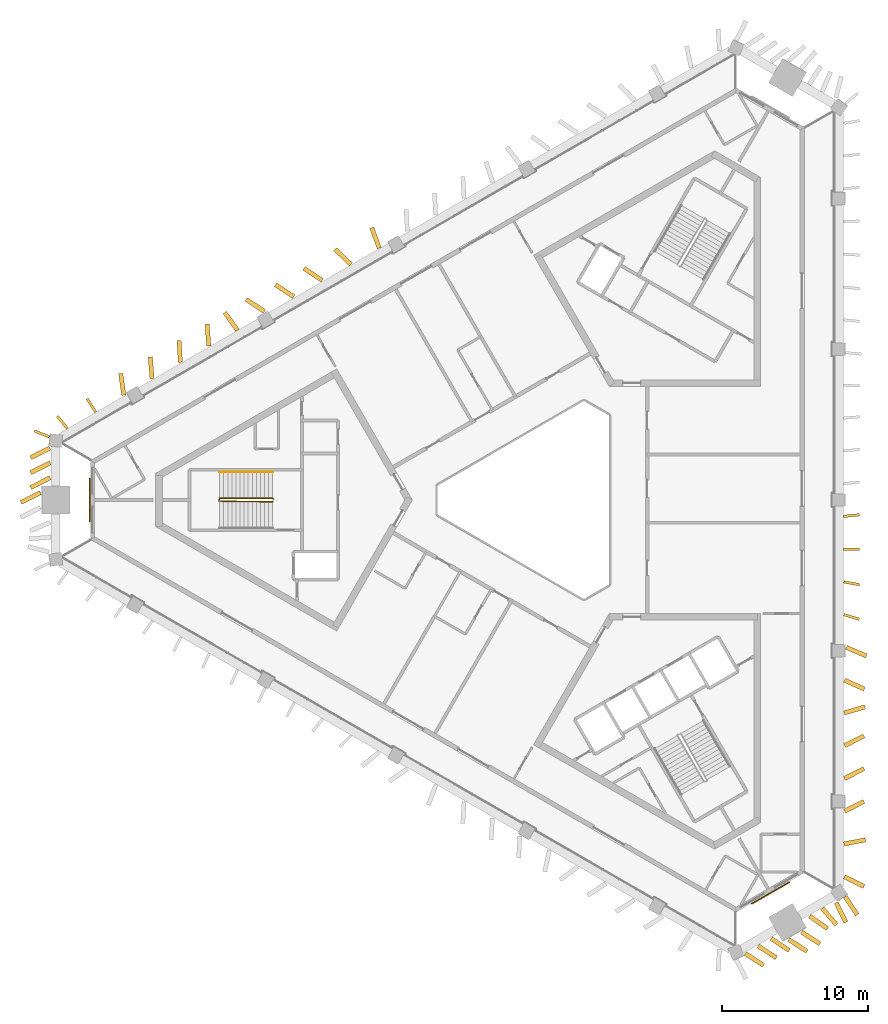
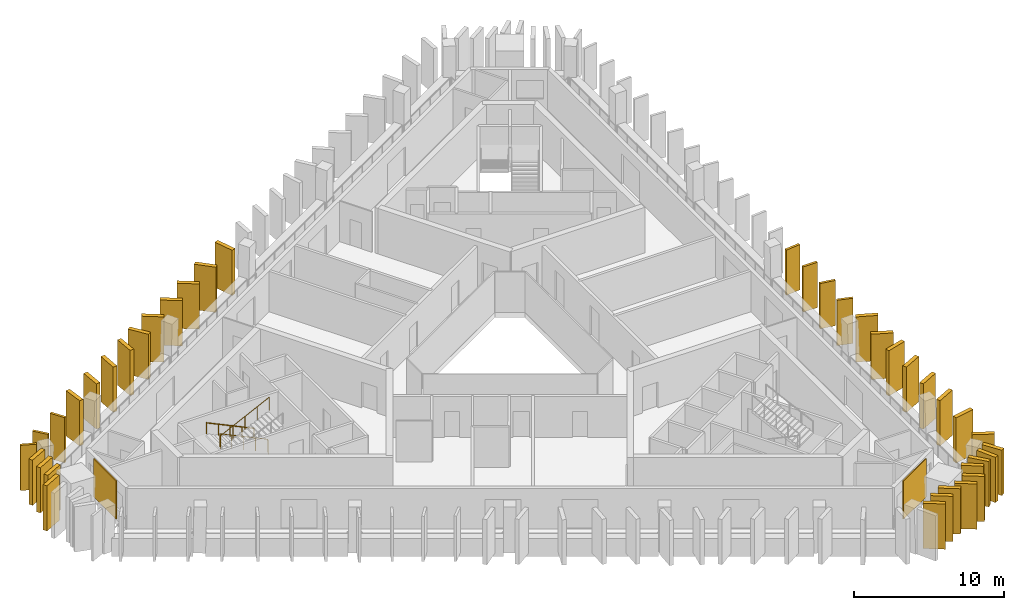
# One storey, part 8 of 10: 38 shading devices, 2 coverings, 2 railings.
"""IFC4 building model written with IfcOpenShell, lengths in metres."""

import ifcopenshell
import ifcopenshell.guid

model = None  # the IFC model being written
_history = None  # IfcOwnerHistory: only IFC2X3 demands one
_inside = {}  # id of a spatial element -> (the spatial element, [elements in it])
_under = {}  # id of a project, library or spatial element -> (it, [spatial elements below it])
_declared = {}  # id of a project -> (the project, [libraries it declares])
_typed = {}  # id of a type object -> (the type object, [elements of that type])
_made_of = {}  # id of a material, layer set ... -> (it, [elements and type objects made of it])


def new_model(schema):
    """Start an empty IFC model of exactly this schema.

    Asked for "IFC4X3", IfcOpenShell would pick the latest addendum, in which some entities
    have other attributes; the version numbers below select the first issue.
    IFC2X3 requires an IfcOwnerHistory on every rooted entity: one is made here for all.
    """
    global model, _history
    if schema == "IFC4X3":
        model = ifcopenshell.file(schema_version=(4, 3, 0, 0))
    else:
        model = ifcopenshell.file(schema=schema)
    _inside.clear()
    _under.clear()
    _declared.clear()
    _typed.clear()
    _made_of.clear()
    _history = None
    if model.schema == "IFC2X3":
        org = make("IfcOrganization", Name="unknown")
        user = make(
            "IfcPersonAndOrganization",
            ThePerson=make("IfcPerson", FamilyName="unknown"),
            TheOrganization=org,
        )
        app = make(
            "IfcApplication",
            ApplicationDeveloper=org,
            Version="unknown",
            ApplicationFullName="unknown",
            ApplicationIdentifier="unknown",
        )
        _history = make(
            "IfcOwnerHistory",
            OwningUser=user,
            OwningApplication=app,
            ChangeAction="ADDED",
            CreationDate=0,
        )
    return model


def make(cls, **values):
    """One entity of the class cls with the attributes given. An attribute that is None is left unset."""
    return model.create_entity(
        cls, **{name: value for name, value in values.items() if value is not None}
    )


def rooted(cls, **values):
    """An entity with a GlobalId (a new one), such as an element, a storey or a relation."""
    return make(cls, GlobalId=ifcopenshell.guid.new(), OwnerHistory=_history, **values)


def si_unit(unit_type, name, prefix=None):
    """IfcSIUnit, for example si_unit("LENGTHUNIT", "METRE", prefix="MILLI")."""
    return make("IfcSIUnit", UnitType=unit_type, Prefix=prefix, Name=name)


def assignment(units):
    """IfcUnitAssignment: the units of a project."""
    return None if units is None else make("IfcUnitAssignment", Units=units)


def point(xyz):
    """IfcCartesianPoint."""
    return None if xyz is None else make("IfcCartesianPoint", Coordinates=xyz)


def direction(xyz):
    """IfcDirection."""
    return None if xyz is None else make("IfcDirection", DirectionRatios=xyz)


def frame(location, z_axis=None, x_axis=None):
    """IfcAxis2Placement3D, a coordinate frame: its origin and axes. An axis left out is left unset."""
    return make(
        "IfcAxis2Placement3D",
        Location=point(location),
        Axis=direction(z_axis),
        RefDirection=direction(x_axis),
    )


def frame_2d(location, x_axis=None):
    """IfcAxis2Placement2D, a coordinate frame in the plane: its origin and x axis."""
    return make(
        "IfcAxis2Placement2D", Location=point(location), RefDirection=direction(x_axis)
    )


def origin():
    """The frame at (0, 0, 0) with its axes left unset."""
    return frame((0.0, 0.0, 0.0))


def origin_2d():
    """The frame at (0, 0) in the plane with its x axis left unset."""
    return frame_2d((0.0, 0.0))


def place(relative_to, where):
    """IfcLocalPlacement: puts the frame where relative to a parent placement (None: the world)."""
    return make(
        "IfcLocalPlacement", PlacementRelTo=relative_to, RelativePlacement=where
    )


def context(
    kind, dimensions, precision=None, world=None, true_north=None, identifier=None
):
    """IfcGeometricRepresentationContext, for example the 3D "Model" context."""
    return make(
        "IfcGeometricRepresentationContext",
        ContextIdentifier=identifier,
        ContextType=kind,
        CoordinateSpaceDimension=dimensions,
        Precision=precision,
        WorldCoordinateSystem=world,
        TrueNorth=true_north,
    )


def subcontext(parent, identifier, kind, view, scale=None):
    """IfcGeometricRepresentationSubContext, for example "Body" below "Model"."""
    return make(
        "IfcGeometricRepresentationSubContext",
        ContextIdentifier=identifier,
        ContextType=kind,
        ParentContext=parent,
        TargetScale=scale,
        TargetView=view,
    )


def project(units=None, contexts=None):
    """IfcProject with its units and contexts."""
    return rooted(
        "IfcProject",
        Name="project",
        RepresentationContexts=contexts,
        UnitsInContext=assignment(units),
    )


def spatial(cls, under=None, at=None, **own):
    """A site, building, storey or space (cls), placed at a placement, below another one or the project."""
    s = rooted(cls, ObjectPlacement=at, **own)
    if under is not None:
        _under.setdefault(under.id(), (under, []))[1].append(s)
    return s


def profile(cls, at=None, kind="AREA", **sizes):
    """A parametric profile (cls). Its sizes go by their IFC names, for example OverallWidth=200.0."""
    return make(cls, ProfileType=kind, Position=at, **sizes)


def rectangle(**sizes):
    """IfcRectangleProfileDef."""
    return profile("IfcRectangleProfileDef", **sizes)


def circle(**sizes):
    """IfcCircleProfileDef."""
    return profile("IfcCircleProfileDef", **sizes)


def extrude(swept, where, along, depth):
    """IfcExtrudedAreaSolid: the profile swept, set in the frame where, extruded along a direction by depth."""
    return make(
        "IfcExtrudedAreaSolid",
        SweptArea=swept,
        Position=where,
        ExtrudedDirection=direction(along),
        Depth=depth,
    )


def shape(context_of_items, identifier, shape_type, items):
    """IfcShapeRepresentation: the items that make up one representation, for example the "Body"."""
    return make(
        "IfcShapeRepresentation",
        ContextOfItems=context_of_items,
        RepresentationIdentifier=identifier,
        RepresentationType=shape_type,
        Items=items,
    )


def material(Name=None, Category=None):
    """IfcMaterial."""
    return make("IfcMaterial", Name=Name, Category=Category)


def layer(
    of_material, thickness, ventilated=None, Name=None, Category=None, Priority=None
):
    """IfcMaterialLayer: one layer of a wall or slab, of a material (None: an air gap)."""
    return make(
        "IfcMaterialLayer",
        Material=of_material,
        LayerThickness=thickness,
        IsVentilated=ventilated,
        Name=Name,
        Category=Category,
        Priority=Priority,
    )


def layer_set(layers, Name=None):
    """IfcMaterialLayerSet."""
    return make("IfcMaterialLayerSet", MaterialLayers=layers, LayerSetName=Name)


def made_of(thing, what):
    """Note that an element or type object is made of a material, layer set ...; save() writes the relation."""
    if what is not None:
        _made_of.setdefault(what.id(), (what, []))[1].append(thing)
    return thing


def type_object(cls, material=None, **own):
    """A type object (cls), such as IfcWallType, which elements share."""
    return made_of(rooted(cls, **own), material)


def element(
    cls,
    number,
    at=None,
    inside=None,
    cuts=None,
    type_object=None,
    material=None,
    context=None,
    identifier="Body",
    shape_type=None,
    held_by="IfcProductDefinitionShape",
    body=None,
    shapes=None,
    **own,
):
    """One element of the class cls, such as IfcWall. Its Tag is "e" and its number.

    at: its placement. inside: the storey or other place that contains it. cuts: it is an
    opening in that element (IfcRelVoidsElement). A single representation is given by context,
    identifier, shape_type and body (its items); several are given by shapes. held_by: the class
    of the entity that holds the representations. save() writes the other relations.
    """
    e = rooted(cls, Tag="e%d" % number, ObjectPlacement=at, **own)
    if body is not None:
        shapes = [shape(context, identifier, shape_type, body)]
    if shapes is not None:
        e.Representation = make(held_by, Representations=shapes)
    if inside is not None:
        _inside.setdefault(inside.id(), (inside, []))[1].append(e)
    if cuts is not None:
        rooted(
            "IfcRelVoidsElement", RelatingBuildingElement=cuts, RelatedOpeningElement=e
        )
    if type_object is not None:
        _typed.setdefault(type_object.id(), (type_object, []))[1].append(e)
    return made_of(e, material)


def aggregate(whole, parts):
    """IfcRelAggregates: a whole, such as a stair, and the parts it consists of."""
    return rooted("IfcRelAggregates", RelatingObject=whole, RelatedObjects=parts)


def save(model, path):
    """Write the relations noted so far, then the file.

    IfcRelAggregates (storeys below a building ...), IfcRelContainedInSpatialStructure (elements
    in a storey), IfcRelDefinesByType, IfcRelAssociatesMaterial and IfcRelDeclares: one each for
    every whole, place, type object, material and project.
    """
    for whole, parts in _under.values():
        aggregate(whole, parts)
    for where, things in _inside.values():
        rooted(
            "IfcRelContainedInSpatialStructure",
            RelatedElements=things,
            RelatingStructure=where,
        )
    for kind, things in _typed.values():
        rooted("IfcRelDefinesByType", RelatedObjects=things, RelatingType=kind)
    for what, things in _made_of.values():
        rooted("IfcRelAssociatesMaterial", RelatedObjects=things, RelatingMaterial=what)
    for by, libraries in _declared.values():
        rooted("IfcRelDeclares", RelatingContext=by, RelatedDefinitions=libraries)
    model.write(path)


model = new_model("IFC4")

# Units and contexts
model_context = context("Model", 3, precision=1e-05, world=origin(), true_north=direction((0.0, 1.0)))
body_context = subcontext(model_context, "Body", "Model", "MODEL_VIEW")
ifc_project = project(units=[si_unit("LENGTHUNIT", "METRE"), si_unit("AREAUNIT", "SQUARE_METRE"), si_unit("VOLUMEUNIT", "CUBIC_METRE"), si_unit("PLANEANGLEUNIT", "RADIAN"), si_unit("MASSUNIT", "GRAM", prefix="KILO")], contexts=[model_context])

# Site, building, storey
site_placement = place(None, origin())
site = spatial("IfcSite", under=ifc_project, at=site_placement, CompositionType="ELEMENT")
building_placement = place(site_placement, origin())
building = spatial("IfcBuilding", under=site, at=building_placement, Name="Jabali Bay Hotel Tower and Convention Centre", CompositionType="ELEMENT")
storey_placement = place(building_placement, frame((0.0, 0.0, 216.89990234375)))
storey = spatial("IfcBuildingStorey", under=building, at=storey_placement, Name="L53", CompositionType="ELEMENT", Elevation=216.89990234375)

# Shading devices
ifc_material_1 = material(Name="Precast concrete C60", Category="concrete")
ifc_layer_1 = layer(ifc_material_1, 0.179931640625)
ifc_layer_set_1 = layer_set([ifc_layer_1], Name="Precast concrete C60")
shading_device_type_1 = type_object("IfcShadingDeviceType", Name="Precast fin 3680 x 1100", PredefinedType="USERDEFINED", material=ifc_layer_set_1)
for number, where, z_axis, x_axis, name in (
    (1, (95.5947265625, 72.136474609375, 0.010009765625), (0.0, 0.0, 1.0), (0.958277096611, -0.285840875506, 0.0), "Fin L53 008"),
    (2, (95.584716796875, 74.38330078125, 0.010009765625), (0.0, 0.0, 1.0), (0.984745552362, -0.174000566385, 0.0), "Fin L53 009"),
):
    element("IfcShadingDevice", number, at=place(storey_placement, frame(where, z_axis=z_axis, x_axis=x_axis)), inside=storey, type_object=shading_device_type_1, Name=name, ObjectType="FIN", PredefinedType="USERDEFINED", context=body_context, shape_type="SweptSolid", body=[
        extrude(rectangle(XDim=1.10009765625, YDim=0.179931640625, at=frame_2d((0.550048828125, 0.0))), origin(), (0.0, 0.0, 1.0), 3.68017578125),
    ])
shading_device_1_placement = place(storey_placement, frame((95.56982421875, 76.6298828125, 0.010009765625), z_axis=(0.0, 0.0, 1.0), x_axis=(0.999971521331, -0.007546954878, 0.0)))
element("IfcShadingDevice", 3, at=shading_device_1_placement, inside=storey, type_object=shading_device_type_1, Name="Fin L53 010", ObjectType="FIN", PredefinedType="USERDEFINED", context=body_context, shape_type="SweptSolid", body=[
    extrude(rectangle(XDim=1.099853515625, YDim=0.179931640625, at=frame_2d((0.5498046875, 0.0))), origin(), (0.0, 0.0, 1.0), 3.68017578125),
])
shading_device_2_placement = place(storey_placement, frame((95.578369140625, 78.876708984375, 0.010009765625), z_axis=(0.0, 0.0, 1.0), x_axis=(0.994751939421, 0.10231607409, 0.0)))
element("IfcShadingDevice", 4, at=shading_device_2_placement, inside=storey, type_object=shading_device_type_1, Name="Fin L53 011", ObjectType="FIN", PredefinedType="USERDEFINED", context=body_context, shape_type="SweptSolid", body=[
    extrude(rectangle(XDim=1.10009765625, YDim=0.179931640625, at=frame_2d((0.550048828125, 0.0))), origin(), (0.0, 0.0, 1.0), 3.68017578125),
])
for number, where, z_axis, x_axis, name in (
    (5, (44.283447265625, 86.021240234375, 0.010009765625), (0.0, 0.0, 1.0), (-0.534719352706, 0.84502971181, 0.0), "Fin L53 054"),
    (6, (42.33251953125, 84.9072265625, 0.010009765625), (0.0, 0.0, 1.0), (-0.631895242404, 0.775053806279, 0.0), "Fin L53 055"),
    (7, (41.090576171875, 84.32373046875, 0.010009765625), (0.0, 0.0, 1.0), (-0.924254616008, 0.381776642539, 0.0), "Fin L53 099"),
):
    element("IfcShadingDevice", number, at=place(storey_placement, frame(where, z_axis=z_axis, x_axis=x_axis)), inside=storey, type_object=shading_device_type_1, Name=name, ObjectType="FIN", PredefinedType="USERDEFINED", context=body_context, shape_type="SweptSolid", body=[
        extrude(rectangle(XDim=1.099853515625, YDim=0.179931640625, at=frame_2d((0.5498046875, 0.0))), origin(), (0.0, 0.0, 1.0), 3.68017578125),
    ])
ifc_layer_2 = layer(ifc_material_1, 0.300048828125)
ifc_layer_set_2 = layer_set([ifc_layer_2], Name="Precast concrete C60")
shading_device_type_2 = type_object("IfcShadingDeviceType", Name="Precast fin 3680 x 1500", PredefinedType="USERDEFINED", material=ifc_layer_set_2)
for number, where, z_axis, x_axis, name in (
    (8, (95.636474609375, 54.16259765625, 0.010009765625), (0.0, 0.0, 1.0), (0.893252214826, -0.449555870508, 0.0), "Fin L53 000"),
    (9, (95.597412109375, 56.409423828125, 0.010009765625), (0.0, 0.0, 1.0), (0.981921602273, 0.189288052949, 0.0), "Fin L53 001"),
    (10, (95.636474609375, 58.656005859375, 0.010009765625), (0.0, 0.0, 1.0), (0.893186849307, 0.449685726063, 0.0), "Fin L53 002"),
):
    element("IfcShadingDevice", number, at=place(storey_placement, frame(where, z_axis=z_axis, x_axis=x_axis)), inside=storey, type_object=shading_device_type_2, Name=name, ObjectType="FIN", PredefinedType="USERDEFINED", context=body_context, shape_type="SweptSolid", body=[
        extrude(rectangle(XDim=1.5, YDim=0.300048828125, at=frame_2d((0.75, 0.0))), origin(), (0.0, 0.0, 1.0), 3.68017578125),
    ])
shading_device_3_placement = place(storey_placement, frame((95.636474609375, 60.90283203125, 0.010009765625), z_axis=(0.0, 0.0, 1.0), x_axis=(0.893285102461, 0.449490517944, 0.0)))
element("IfcShadingDevice", 11, at=shading_device_3_placement, inside=storey, type_object=shading_device_type_2, Name="Fin L53 003", ObjectType="FIN", PredefinedType="USERDEFINED", context=body_context, shape_type="SweptSolid", body=[
    extrude(rectangle(XDim=1.500244140625, YDim=0.300048828125, at=frame_2d((0.75, 0.0))), origin(), (0.0, 0.0, 1.0), 3.68017578125),
])
for number, where, z_axis, x_axis, name in (
    (12, (95.636474609375, 63.149658203125, 0.010009765625), (0.0, 0.0, 1.0), (0.893579211785, 0.448905549381, 0.0), "Fin L53 004"),
    (13, (95.610595703125, 65.396240234375, 0.010009765625), (0.0, 0.0, 1.0), (0.960727682591, 0.277492918655, 0.0), "Fin L53 005"),
    (14, (95.630126953125, 67.64306640625, 0.010009765625), (0.0, 0.0, 1.0), (0.913610075312, -0.406591478377, 0.0), "Fin L53 006"),
):
    element("IfcShadingDevice", number, at=place(storey_placement, frame(where, z_axis=z_axis, x_axis=x_axis)), inside=storey, type_object=shading_device_type_2, Name=name, ObjectType="FIN", PredefinedType="USERDEFINED", context=body_context, shape_type="SweptSolid", body=[
        extrude(rectangle(XDim=1.5, YDim=0.300048828125, at=frame_2d((0.75, 0.0))), origin(), (0.0, 0.0, 1.0), 3.68017578125),
    ])
shading_device_4_placement = place(storey_placement, frame((95.76025390625, 69.8896484375, 0.010009765625), z_axis=(0.0, 0.0, 1.0), x_axis=(0.920327988661, -0.391147533914, 0.0)))
element("IfcShadingDevice", 15, at=shading_device_4_placement, inside=storey, type_object=shading_device_type_2, Name="Fin L53 007", ObjectType="FIN", PredefinedType="USERDEFINED", context=body_context, shape_type="SweptSolid", body=[
    extrude(rectangle(XDim=1.499755859375, YDim=0.300048828125, at=frame_2d((0.75, 0.0))), origin(), (0.0, 0.0, 1.0), 3.68017578125),
])
for number, where, z_axis, x_axis, name in (
    (16, (63.730224609375, 97.273193359375, 0.010009765625), (0.0, 0.0, 1.0), (-0.348946482823, 0.937142653029, 0.0), "Fin L53 044"),
    (17, (61.776123046875, 96.164306640625, 0.010009765625), (0.0, 0.0, 1.0), (-0.720088242466, 0.693882499464, 0.0), "Fin L53 045"),
):
    element("IfcShadingDevice", number, at=place(storey_placement, frame(where, z_axis=z_axis, x_axis=x_axis)), inside=storey, type_object=shading_device_type_2, Name=name, ObjectType="FIN", PredefinedType="USERDEFINED", context=body_context, shape_type="SweptSolid", body=[
        extrude(rectangle(XDim=1.5, YDim=0.300048828125, at=frame_2d((0.75, 0.0))), origin(), (0.0, 0.0, 1.0), 3.68017578125),
    ])
shading_device_5_placement = place(storey_placement, frame((59.8173828125, 95.0634765625, 0.010009765625), z_axis=(0.0, 0.0, 1.0), x_axis=(-0.836010576287, 0.548713328011, 0.0)))
element("IfcShadingDevice", 18, at=shading_device_5_placement, inside=storey, type_object=shading_device_type_2, Name="Fin L53 046", ObjectType="FIN", PredefinedType="USERDEFINED", context=body_context, shape_type="SweptSolid", body=[
    extrude(rectangle(XDim=1.499755859375, YDim=0.300048828125, at=frame_2d((0.75, 0.0))), origin(), (0.0, 0.0, 1.0), 3.68017578125),
])
for number, where, z_axis, x_axis, name in (
    (19, (57.871826171875, 93.93994140625, 0.010009765625), (0.0, 0.0, 1.0), (-0.835984920737, 0.548752414391, 0.0), "Fin L53 047"),
    (20, (55.85986328125, 92.931396484375, 0.010009765625), (0.0, 0.0, 1.0), (-0.835984920737, 0.548752414391, 0.0), "Fin L53 048"),
):
    element("IfcShadingDevice", number, at=place(storey_placement, frame(where, z_axis=z_axis, x_axis=x_axis)), inside=storey, type_object=shading_device_type_2, Name=name, ObjectType="FIN", PredefinedType="USERDEFINED", context=body_context, shape_type="SweptSolid", body=[
        extrude(rectangle(XDim=1.500244140625, YDim=0.300048828125, at=frame_2d((0.75, 0.0))), origin(), (0.0, 0.0, 1.0), 3.68017578125),
    ])
for number, where, z_axis, x_axis, name in (
    (21, (54.00634765625, 91.648193359375, 0.010009765625), (0.0, 0.0, 1.0), (-0.586583444846, 0.809888796214, 0.0), "Fin L53 049"),
    (22, (52.03564453125, 90.56787109375, 0.010009765625), (0.0, 0.0, 1.0), (-0.074219409644, 0.997241936158, 0.0), "Fin L53 050"),
    (23, (50.089111328125, 89.446044921875, 0.010009765625), (0.0, 0.0, 1.0), (-0.062175622259, 0.99806522432, 0.0), "Fin L53 051"),
    (24, (48.14453125, 88.320556640625, 0.010009765625), (0.0, 0.0, 1.0), (-0.078613095905, 0.996905201688, 0.0), "Fin L53 052"),
    (25, (46.202880859375, 87.1904296875, 0.010009765625), (0.0, 0.0, 1.0), (-0.13704495336, 0.990564829155, 0.0), "Fin L53 053"),
    (26, (41.15283203125, 83.56982421875, 0.010009765625), (0.0, 0.0, 1.0), (-0.893186849307, -0.449685726063, 0.0), "Fin L53 056"),
):
    element("IfcShadingDevice", number, at=place(storey_placement, frame(where, z_axis=z_axis, x_axis=x_axis)), inside=storey, type_object=shading_device_type_2, Name=name, ObjectType="FIN", PredefinedType="USERDEFINED", context=body_context, shape_type="SweptSolid", body=[
        extrude(rectangle(XDim=1.5, YDim=0.300048828125, at=frame_2d((0.75, 0.0))), origin(), (0.0, 0.0, 1.0), 3.68017578125),
    ])
for number, where, z_axis, x_axis, name in (
    (27, (41.15869140625, 82.5498046875, 0.010009765625), (0.0, 0.0, 1.0), (-0.893219312844, -0.449621239671, 0.0), "Fin L53 057"),
    (28, (41.15869140625, 81.530029296875, 0.010009765625), (0.0, 0.0, 1.0), (-0.893153930724, -0.449751104536, 0.0), "Fin L53 058"),
    (29, (40.49609375, 80.510009765625, 0.010009765625), (0.0, 0.0, 1.0), (-0.893153930724, -0.449751104536, 0.0), "Fin L53 059"),
):
    element("IfcShadingDevice", number, at=place(storey_placement, frame(where, z_axis=z_axis, x_axis=x_axis)), inside=storey, type_object=shading_device_type_2, Name=name, ObjectType="FIN", PredefinedType="USERDEFINED", context=body_context, shape_type="SweptSolid", body=[
        extrude(rectangle(XDim=1.499755859375, YDim=0.300048828125, at=frame_2d((0.75, 0.0))), origin(), (0.0, 0.0, 1.0), 3.68017578125),
    ])
shading_device_6_placement = place(storey_placement, frame((88.83203125, 48.902587890625, 0.010009765625), z_axis=(0.0, 0.0, 1.0), x_axis=(0.835984920737, -0.548752414391, 0.0)))
element("IfcShadingDevice", 30, at=shading_device_6_placement, inside=storey, type_object=shading_device_type_2, Name="Fin L53 088", ObjectType="FIN", PredefinedType="USERDEFINED", context=body_context, shape_type="SweptSolid", body=[
    extrude(rectangle(XDim=1.500244140625, YDim=0.300048828125, at=frame_2d((0.75, 0.0))), origin(), (0.0, 0.0, 1.0), 3.68017578125),
])
for number, where, z_axis, x_axis, name in (
    (31, (89.71240234375, 49.417724609375, 0.010009765625), (0.0, 0.0, 1.0), (0.836010576287, -0.548713328011, 0.0), "Fin L53 089"),
    (32, (90.595703125, 49.927734375, 0.010009765625), (0.0, 0.0, 1.0), (0.836010576287, -0.548713328011, 0.0), "Fin L53 090"),
    (33, (91.810302734375, 49.86376953125, 0.010009765625), (0.0, 0.0, 1.0), (0.836010576287, -0.548713328011, 0.0), "Fin L53 091"),
    (34, (92.693603515625, 50.373779296875, 0.010009765625), (0.0, 0.0, 1.0), (0.836010576287, -0.548713328011, 0.0), "Fin L53 092"),
):
    element("IfcShadingDevice", number, at=place(storey_placement, frame(where, z_axis=z_axis, x_axis=x_axis)), inside=storey, type_object=shading_device_type_2, Name=name, ObjectType="FIN", PredefinedType="USERDEFINED", context=body_context, shape_type="SweptSolid", body=[
        extrude(rectangle(XDim=1.499755859375, YDim=0.300048828125, at=frame_2d((0.75, 0.0))), origin(), (0.0, 0.0, 1.0), 3.68017578125),
    ])
for number, where, z_axis, x_axis, name in (
    (35, (93.24365234375, 51.461181640625, 0.010009765625), (0.0, 0.0, 1.0), (0.819423018921, -0.573189249779, 0.0), "Fin L53 093"),
    (36, (94.109130859375, 52.00146484375, 0.010009765625), (0.0, 0.0, 1.0), (0.654242516984, -0.756284820006, 0.0), "Fin L53 094"),
):
    element("IfcShadingDevice", number, at=place(storey_placement, frame(where, z_axis=z_axis, x_axis=x_axis)), inside=storey, type_object=shading_device_type_2, Name=name, ObjectType="FIN", PredefinedType="USERDEFINED", context=body_context, shape_type="SweptSolid", body=[
        extrude(rectangle(XDim=1.500244140625, YDim=0.300048828125, at=frame_2d((0.75, 0.0))), origin(), (0.0, 0.0, 1.0), 3.68017578125),
    ])
shading_device_7_placement = place(storey_placement, frame((95.06689453125, 52.3828125, 0.010009765625), z_axis=(0.0, 0.0, 1.0), x_axis=(0.441214381107, -0.897401732728, 0.0)))
element("IfcShadingDevice", 37, at=shading_device_7_placement, inside=storey, type_object=shading_device_type_2, Name="Fin L53 095", ObjectType="FIN", PredefinedType="USERDEFINED", context=body_context, shape_type="SweptSolid", body=[
    extrude(rectangle(XDim=1.5, YDim=0.300048828125, at=frame_2d((0.75, 0.0))), origin(), (0.0, 0.0, 1.0), 3.68017578125),
])
shading_device_8_placement = place(storey_placement, frame((95.685546875, 52.80322265625, 0.010009765625), z_axis=(0.0, 0.0, 1.0), x_axis=(0.548713328011, -0.836010576287, 0.0)))
element("IfcShadingDevice", 38, at=shading_device_8_placement, inside=storey, type_object=shading_device_type_2, Name="Fin L53 096", ObjectType="FIN", PredefinedType="USERDEFINED", context=body_context, shape_type="SweptSolid", body=[
    extrude(rectangle(XDim=1.499755859375, YDim=0.300048828125, at=frame_2d((0.75, 0.0))), origin(), (0.0, 0.0, 1.0), 3.68017578125),
])

# Coverings
ifc_material_2 = material(Name="Precast concrete C40/50", Category="concrete")
ifc_layer_3 = layer(ifc_material_2, 0.080078125)
ifc_layer_set_3 = layer_set([ifc_layer_3], Name="Precast concrete C40/50")
covering_type = type_object("IfcCoveringType", Name="Relief panel 3000 x 3100", PredefinedType="CLADDING", material=ifc_layer_set_3)
for number, where, z_axis, x_axis, name in (
    (39, (43.873046875, 80.0, 0.10009765625), (0.0, 0.0, 1.0), (0.0, 1.0, 0.0), "Relief panel L53"),
    (40, (90.5634765625, 53.043212890625, 0.10009765625), (0.0, 0.0, 1.0), (-0.866025420924, -0.499999970314, 0.0), "Relief panel L53"),
):
    element("IfcCovering", number, at=place(storey_placement, frame(where, z_axis=z_axis, x_axis=x_axis)), inside=storey, type_object=covering_type, Name=name, PredefinedType="CLADDING", context=body_context, shape_type="SweptSolid", body=[
        extrude(rectangle(XDim=3.0, YDim=0.080078125, at=origin_2d()), origin(), (0.0, 0.0, 1.0), 3.10009765625),
    ])

# Railings
ifc_material_3 = material(Name="Steel Q355B", Category="steel")
railing_type_1 = type_object("IfcRailingType", Name="Stair guard 1100", PredefinedType="GUARDRAIL", material=ifc_material_3)
railing_1_placement = place(storey_placement, frame((56.469970703125, 80.074951171875, 0.0)))
element("IfcRailing", 41, at=railing_1_placement, inside=storey, type_object=railing_type_1, Name="L53 ST1 stair guard 1", PredefinedType="GUARDRAIL", context=body_context, shape_type="SweptSolid", body=[
    extrude(circle(Radius=0.02392578125, at=origin_2d()), frame((0.0, 0.0, 1.076171875), z_axis=(-0.333514590198, 0.333514590198, 0.881780038474), x_axis=(-0.707106781187, -0.707106781187, 0.0)), (0.0, 0.0, 1.0), 0.150146484375),
    extrude(circle(Radius=0.02392578125, at=origin_2d()), frame((-0.050048828125, 0.050048828125, 1.20849609375), z_axis=(-0.904350763662, 0.0, 0.426789990819), x_axis=(0.0, -1.0, 0.0)), (0.0, 0.0, 1.0), 4.02490234375),
    extrude(circle(Radius=0.02392578125, at=origin_2d()), frame((-3.68994140625, 0.050048828125, 2.92626953125), z_axis=(-0.242814311512, -0.970072785993, 0.0), x_axis=(0.970072785993, -0.242814311512, 0.0)), (0.0, 0.0, 1.0), 0.2060546875),
    extrude(circle(Radius=0.02392578125, at=origin_2d()), frame((-3.739990234375, -0.14990234375, 2.92626953125), z_axis=(0.893864111827, -0.012124000458, 0.448174026692), x_axis=(0.013562335953, 0.999908027292, 0.0)), (0.0, 0.0, 1.0), 4.128173828125),
    extrude(circle(Radius=0.02099609375, at=origin_2d()), origin(), (0.0, 0.0, 1.0), 1.052001953125),
    extrude(circle(Radius=0.02099609375, at=origin_2d()), frame((-0.050048828125, 0.050048828125, 0.13232421875)), (0.0, 0.0, 1.0), 1.052001953125),
    extrude(circle(Radius=0.02099609375, at=origin_2d()), frame((-0.9599609375, 0.050048828125, 0.561767578125)), (0.0, 0.0, 1.0), 1.052001953125),
    extrude(circle(Radius=0.02099609375, at=origin_2d()), frame((-1.8701171875, 0.050048828125, 0.9912109375)), (0.0, 0.0, 1.0), 1.052001953125),
    extrude(circle(Radius=0.02099609375, at=origin_2d()), frame((-2.780029296875, 0.050048828125, 1.420654296875)), (0.0, 0.0, 1.0), 1.052001953125),
    extrude(circle(Radius=0.02099609375, at=origin_2d()), frame((-3.68994140625, 0.050048828125, 1.85009765625)), (0.0, 0.0, 1.0), 1.052001953125),
    extrude(circle(Radius=0.02099609375, at=origin_2d()), frame((-3.739990234375, -0.14990234375, 1.85009765625)), (0.0, 0.0, 1.0), 1.052001953125),
    extrude(circle(Radius=0.02099609375, at=origin_2d()), frame((-2.8173828125, -0.162353515625, 2.3125)), (0.0, 0.0, 1.0), 1.052001953125),
    extrude(circle(Radius=0.02099609375, at=origin_2d()), frame((-1.89501953125, -0.1748046875, 2.775146484375)), (0.0, 0.0, 1.0), 1.052001953125),
    extrude(circle(Radius=0.02099609375, at=origin_2d()), frame((-0.97265625, -0.1875, 3.23779296875)), (0.0, 0.0, 1.0), 1.052001953125),
    extrude(circle(Radius=0.02099609375, at=origin_2d()), frame((-0.050048828125, -0.199951171875, 3.7001953125)), (0.0, 0.0, 1.0), 1.052001953125),
])
railing_type_2 = type_object("IfcRailingType", Name="Stair handrail 900", PredefinedType="HANDRAIL", material=ifc_material_3)
railing_2_placement = place(storey_placement, frame((56.419921875, 81.925048828125, 0.13232421875)))
element("IfcRailing", 42, at=railing_2_placement, inside=storey, type_object=railing_type_2, Name="L53 ST1 stair handrail 1", PredefinedType="HANDRAIL", context=body_context, shape_type="SweptSolid", body=[
    extrude(circle(Radius=0.02392578125, at=origin_2d()), frame((0.0, 0.0, 0.8759765625), z_axis=(-0.904350763662, 0.0, 0.426789990819), x_axis=(0.0, -1.0, 0.0)), (0.0, 0.0, 1.0), 4.02490234375),
    extrude(circle(Radius=0.02099609375, at=origin_2d()), origin(), (0.0, 0.0, 1.0), 0.851806640625),
    extrude(circle(Radius=0.02099609375, at=origin_2d()), frame((-0.909912109375, 0.0, 0.429443359375)), (0.0, 0.0, 1.0), 0.851806640625),
    extrude(circle(Radius=0.02099609375, at=origin_2d()), frame((-1.81982421875, 0.0, 0.85888671875)), (0.0, 0.0, 1.0), 0.851806640625),
    extrude(circle(Radius=0.02099609375, at=origin_2d()), frame((-2.72998046875, 0.0, 1.288330078125)), (0.0, 0.0, 1.0), 0.851806640625),
    extrude(circle(Radius=0.02099609375, at=origin_2d()), frame((-3.639892578125, 0.0, 1.7177734375)), (0.0, 0.0, 1.0), 0.851806640625),
])

save(model, "model.ifc")
